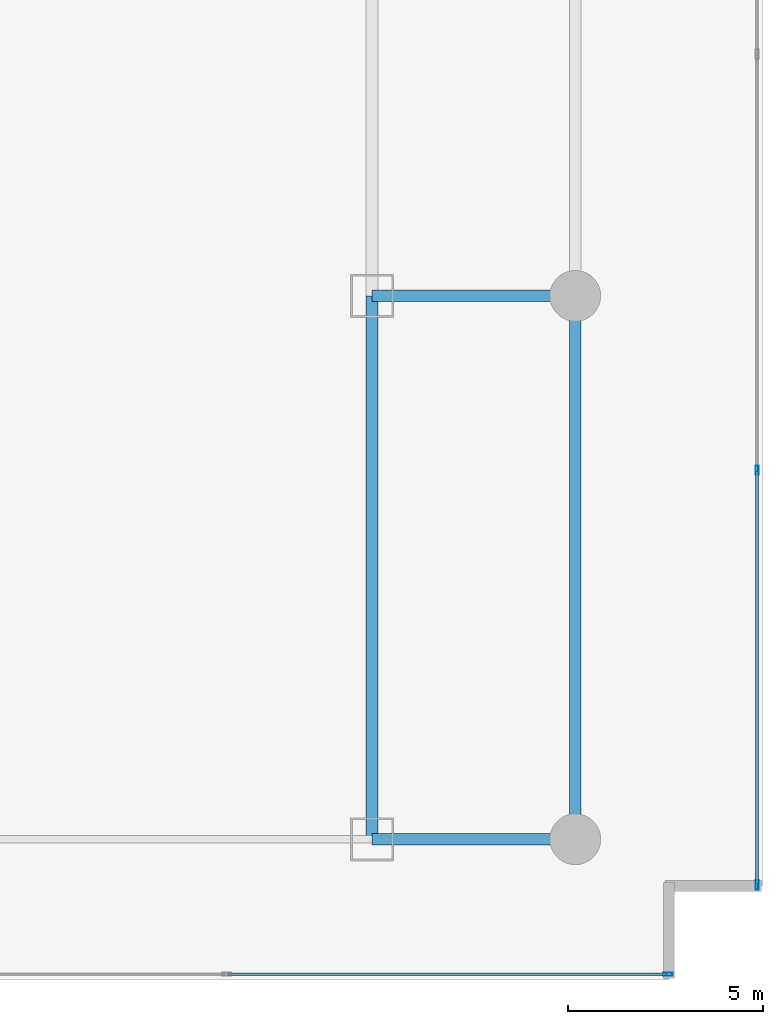
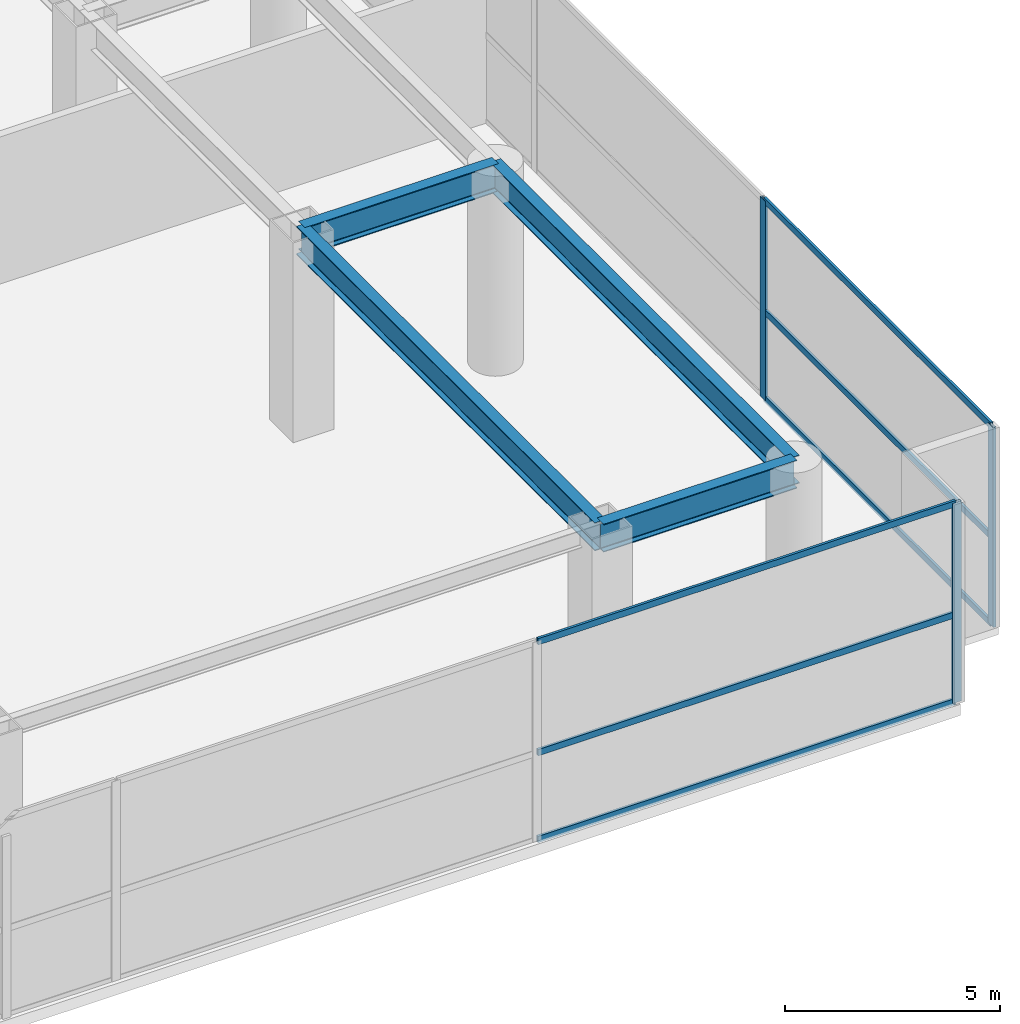
# One storey, part 22 of 35: 9 members, 4 beams, 2 elements without a shape of their own.
"""IFC4 building model written with IfcOpenShell, lengths in metres."""

from ifc_helpers import new_model, si_unit, direction, frame, origin, origin_2d, place, context, subcontext, project, spatial, hollow_rectangle, i_section, extrude, material, layer, layer_set, material_profile, profile_set, type_object, element, aggregate, save


model = new_model("IFC4")

# Units and contexts
model_context = context("Model", 3, precision=1e-05, world=origin(), true_north=direction((0.0, 1.0)))
body_context = subcontext(model_context, "Body", "Model", "MODEL_VIEW")
ifc_project = project(units=[si_unit("LENGTHUNIT", "METRE"), si_unit("AREAUNIT", "SQUARE_METRE"), si_unit("VOLUMEUNIT", "CUBIC_METRE"), si_unit("PLANEANGLEUNIT", "RADIAN"), si_unit("MASSUNIT", "GRAM", prefix="KILO")], contexts=[model_context])

# Site, building, storey
site_placement = place(None, origin())
site = spatial("IfcSite", under=ifc_project, at=site_placement, CompositionType="ELEMENT")
building_placement = place(site_placement, origin())
building = spatial("IfcBuilding", under=site, at=building_placement, Name="Calvorn Quay Hotel", CompositionType="ELEMENT")
storey_placement = place(building_placement, frame((0.0, 0.0, 6.0)))
storey = spatial("IfcBuildingStorey", under=building, at=storey_placement, Name="L01", CompositionType="ELEMENT", Elevation=6.0)

# Beams
ifc_material_1 = material(Name="Steel Q390GJC", Category="steel")
ifc_material_profile_1 = material_profile(ifc_material_1, i_section(OverallWidth=0.300048828125, OverallDepth=0.800048828125, WebThickness=0.013916015625, FlangeThickness=0.02587890625, FilletRadius=0.02392578125, at=origin_2d()), Name="HN800x300x14x26")
ifc_profile_set_1 = profile_set([ifc_material_profile_1], Name="Steel Q390GJC")
beam_type = type_object("IfcBeamType", Name="BM-GIRD-POD", PredefinedType="BEAM", material=ifc_profile_set_1)
for number, where, z_axis, x_axis, name in (
    (1, (74.0, 3.60009765625, 5.280029296875), (0.0, 1.0, 0.0), (-1.0, 0.0, 0.0), "Beam BG-L01-PE1"),
    (2, (79.199951171875, 3.60009765625, 5.280029296875), (0.0, 1.0, 0.0), (-1.0, 0.0, 0.0), "Beam BSP-L01-Q1"),
):
    element("IfcBeam", number, at=place(storey_placement, frame(where, z_axis=z_axis, x_axis=x_axis)), inside=storey, type_object=beam_type, Name=name, PredefinedType="BEAM", context=body_context, shape_type="SweptSolid", body=[
        extrude(i_section(OverallWidth=0.300048828125, OverallDepth=0.800048828125, WebThickness=0.013916015625, FlangeThickness=0.02587890625, FilletRadius=0.02392578125, at=origin_2d()), origin(), (0.0, 0.0, 1.0), 13.89990234375),
    ])
for number, where, z_axis, x_axis, name in (
    (3, (74.0, 3.60009765625, 5.280029296875), (1.0, 0.0, 0.0), (0.0, 1.0, 0.0), "Beam BG-L01-EQ1"),
    (4, (74.0, 17.5, 5.280029296875), (1.0, 0.0, 0.0), (0.0, 1.0, 0.0), "Beam BG-L01-EQ2"),
):
    element("IfcBeam", number, at=place(storey_placement, frame(where, z_axis=z_axis, x_axis=x_axis)), inside=storey, type_object=beam_type, Name=name, PredefinedType="BEAM", context=body_context, shape_type="SweptSolid", body=[
        extrude(i_section(OverallWidth=0.300048828125, OverallDepth=0.800048828125, WebThickness=0.013916015625, FlangeThickness=0.02587890625, FilletRadius=0.02392578125, at=origin_2d()), origin(), (0.0, 0.0, 1.0), 5.199951171875),
    ])

# Curtain wall, member
ifc_material_2 = material(Name="Pale Anodised Aluminium and Low-E Glass", Category="aluminium")
ifc_layer = layer(ifc_material_2, 0.219970703125)
ifc_layer_set = layer_set([ifc_layer], Name="CW-SYS-POD")
curtain_wall_type = type_object("IfcCurtainWallType", Name="CW-SYS-POD", PredefinedType="NOTDEFINED", material=ifc_layer_set)
curtain_wall_1_placement = place(storey_placement, origin())
curtain_wall_1 = element("IfcCurtainWall", 5, at=curtain_wall_1_placement, inside=storey, type_object=curtain_wall_type, Name="Podium Curtain Wall L01-S1", PredefinedType="NOTDEFINED")
ifc_material_3 = material(Name="Pale Anodised Aluminium 6063-T6", Category="aluminium")
ifc_material_profile_2 = material_profile(ifc_material_3, hollow_rectangle(XDim=0.080078125, YDim=0.239990234375, WallThickness=0.0048828125, at=origin_2d()), Name="ALU-M240x80x5")
ifc_profile_set_2 = profile_set([ifc_material_profile_2], Name="Pale Anodised Aluminium 6063-T6")
member_type_1 = type_object("IfcMemberType", Name="CW-SYS-POD-MUL", PredefinedType="MULLION", material=ifc_profile_set_2)
member_1_placement = place(storey_placement, frame((81.570068359375, 0.14990234375, 0.0), z_axis=(0.0, 0.0, 1.0), x_axis=(0.0, 1.0, 0.0)))
member_1 = element("IfcMember", 6, at=member_1_placement, type_object=member_type_1, Name="CW-L01-S1 mullion 8", PredefinedType="MULLION", context=body_context, shape_type="SweptSolid", body=[
    extrude(hollow_rectangle(XDim=0.080078125, YDim=0.239990234375, WallThickness=0.0048828125, at=origin_2d()), origin(), (0.0, 0.0, 1.0), 5.679931640625),
])

# Curtain wall, members
curtain_wall_2_placement = place(storey_placement, origin())
curtain_wall_2 = element("IfcCurtainWall", 7, at=curtain_wall_2_placement, inside=storey, type_object=curtain_wall_type, Name="Podium Curtain Wall L01-E1", PredefinedType="NOTDEFINED")
member_2_placement = place(storey_placement, frame((83.85009765625, 2.429931640625, 0.0), z_axis=(0.0, 0.0, 1.0), x_axis=(-1.0, 0.0, 0.0)))
member_2 = element("IfcMember", 8, at=member_2_placement, type_object=member_type_1, Name="CW-L01-E1 mullion 1", PredefinedType="MULLION", context=body_context, shape_type="SweptSolid", body=[
    extrude(hollow_rectangle(XDim=0.080078125, YDim=0.239990234375, WallThickness=0.0048828125, at=origin_2d()), origin(), (0.0, 0.0, 1.0), 5.679931640625),
])
member_3_placement = place(storey_placement, frame((83.85009765625, 13.0400390625, 0.0), z_axis=(0.0, 0.0, 1.0), x_axis=(-1.0, 0.0, 0.0)))
member_3 = element("IfcMember", 9, at=member_3_placement, type_object=member_type_1, Name="CW-L01-E1 mullion 2", PredefinedType="MULLION", context=body_context, shape_type="SweptSolid", body=[
    extrude(hollow_rectangle(XDim=0.080078125, YDim=0.239990234375, WallThickness=0.0048828125, at=origin_2d()), origin(), (0.0, 0.0, 1.0), 5.679931640625),
])

# Member
ifc_material_4 = material(Name="Pale Anodised Aluminium 6063-T6", Category="aluminium")
ifc_material_profile_3 = material_profile(ifc_material_4, hollow_rectangle(XDim=0.070068359375, YDim=0.179931640625, WallThickness=0.00390625, at=origin_2d()), Name="ALU-T180x70x4")
ifc_profile_set_3 = profile_set([ifc_material_profile_3], Name="Pale Anodised Aluminium 6063-T6")
member_type_2 = type_object("IfcMemberType", Name="CW-SYS-POD-TRN", PredefinedType="USERDEFINED", material=ifc_profile_set_3)
member_4_placement = place(storey_placement, frame((70.315673828125, 0.14990234375, 0.030029296875), z_axis=(1.0, 0.0, 0.0), x_axis=(0.0, 1.0, 0.0)))
member_4 = element("IfcMember", 10, at=member_4_placement, type_object=member_type_2, Name="CW-L01-S1 transom 7.1", ObjectType="TRANSOM", PredefinedType="USERDEFINED", context=body_context, shape_type="SweptSolid", body=[
    extrude(hollow_rectangle(XDim=0.070068359375, YDim=0.179931640625, WallThickness=0.00390625, at=origin_2d()), origin(), (0.0, 0.0, 1.0), 11.224365234375),
])

member_5_placement = place(storey_placement, frame((70.315673828125, 0.14990234375, 2.5), z_axis=(1.0, 0.0, 0.0), x_axis=(0.0, 1.0, 0.0)))
member_5 = element("IfcMember", 11, at=member_5_placement, type_object=member_type_2, Name="CW-L01-S1 transom 7.2", ObjectType="TRANSOM", PredefinedType="USERDEFINED", context=body_context, shape_type="SweptSolid", body=[
    extrude(hollow_rectangle(XDim=0.070068359375, YDim=0.179931640625, WallThickness=0.00390625, at=origin_2d()), origin(), (0.0, 0.0, 1.0), 11.224365234375),
])

member_6_placement = place(storey_placement, frame((70.315673828125, 0.14990234375, 5.64990234375), z_axis=(1.0, 0.0, 0.0), x_axis=(0.0, 1.0, 0.0)))
member_6 = element("IfcMember", 12, at=member_6_placement, type_object=member_type_2, Name="CW-L01-S1 transom 7.3", ObjectType="TRANSOM", PredefinedType="USERDEFINED", context=body_context, shape_type="SweptSolid", body=[
    extrude(hollow_rectangle(XDim=0.070068359375, YDim=0.179931640625, WallThickness=0.00390625, at=origin_2d()), origin(), (0.0, 0.0, 1.0), 11.224365234375),
])

aggregate(curtain_wall_1, [member_1, member_4, member_5, member_6])

member_7_placement = place(storey_placement, frame((83.85009765625, 2.4599609375, 0.030029296875), z_axis=(0.0, 1.0, 0.0), x_axis=(-1.0, 0.0, 0.0)))
member_7 = element("IfcMember", 13, at=member_7_placement, type_object=member_type_2, Name="CW-L01-E1 transom 1.1", ObjectType="TRANSOM", PredefinedType="USERDEFINED", context=body_context, shape_type="SweptSolid", body=[
    extrude(hollow_rectangle(XDim=0.070068359375, YDim=0.179931640625, WallThickness=0.00390625, at=origin_2d()), origin(), (0.0, 0.0, 1.0), 10.550048828125),
])

member_8_placement = place(storey_placement, frame((83.85009765625, 2.4599609375, 2.5), z_axis=(0.0, 1.0, 0.0), x_axis=(-1.0, 0.0, 0.0)))
member_8 = element("IfcMember", 14, at=member_8_placement, type_object=member_type_2, Name="CW-L01-E1 transom 1.2", ObjectType="TRANSOM", PredefinedType="USERDEFINED", context=body_context, shape_type="SweptSolid", body=[
    extrude(hollow_rectangle(XDim=0.070068359375, YDim=0.179931640625, WallThickness=0.00390625, at=origin_2d()), origin(), (0.0, 0.0, 1.0), 10.550048828125),
])

member_9_placement = place(storey_placement, frame((83.85009765625, 2.4599609375, 5.64990234375), z_axis=(0.0, 1.0, 0.0), x_axis=(-1.0, 0.0, 0.0)))
member_9 = element("IfcMember", 15, at=member_9_placement, type_object=member_type_2, Name="CW-L01-E1 transom 1.3", ObjectType="TRANSOM", PredefinedType="USERDEFINED", context=body_context, shape_type="SweptSolid", body=[
    extrude(hollow_rectangle(XDim=0.070068359375, YDim=0.179931640625, WallThickness=0.00390625, at=origin_2d()), origin(), (0.0, 0.0, 1.0), 10.550048828125),
])

aggregate(curtain_wall_2, [member_2, member_3, member_7, member_8, member_9])

save(model, "model.ifc")
